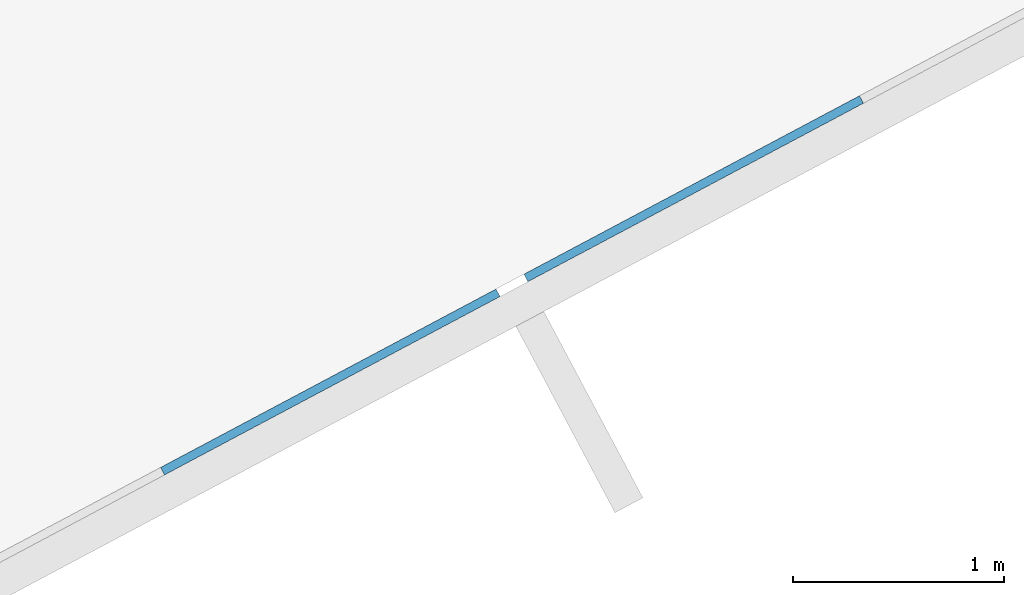
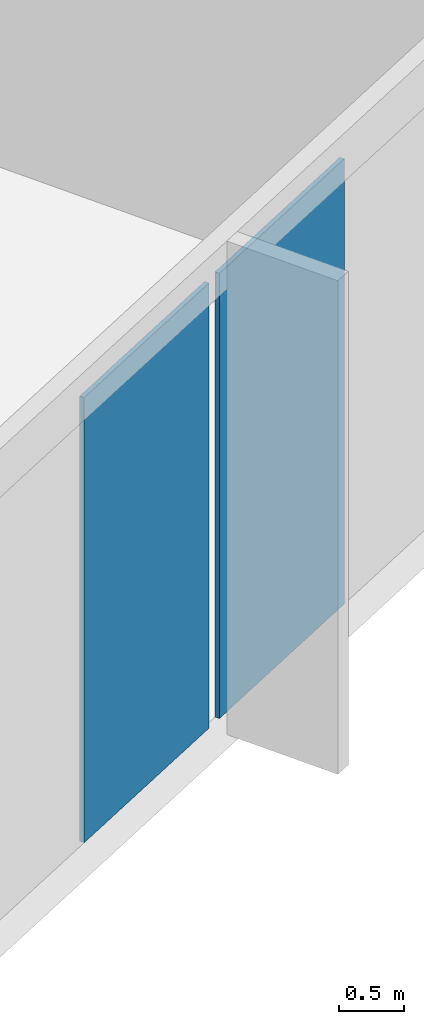
# One storey, part 11 of 32: 2 plates, 1 element without a shape of its own.
"""IFC4 building model written with IfcOpenShell, lengths in metres."""

from ifc_helpers import new_model, si_unit, direction, frame, origin, origin_2d, place, context, subcontext, project, spatial, rectangle, extrude, material, layer, layer_set, type_object, element, aggregate, save


model = new_model("IFC4")

# Units and contexts
model_context = context("Model", 3, precision=1e-05, world=origin(), true_north=direction((0.0, 1.0)))
body_context = subcontext(model_context, "Body", "Model", "MODEL_VIEW")
ifc_project = project(units=[si_unit("LENGTHUNIT", "METRE"), si_unit("AREAUNIT", "SQUARE_METRE"), si_unit("VOLUMEUNIT", "CUBIC_METRE"), si_unit("PLANEANGLEUNIT", "RADIAN"), si_unit("MASSUNIT", "GRAM", prefix="KILO")], contexts=[model_context])

# Site, building, storey
site_placement = place(None, origin())
site = spatial("IfcSite", under=ifc_project, at=site_placement, CompositionType="ELEMENT")
building_placement = place(site_placement, origin())
building = spatial("IfcBuilding", under=site, at=building_placement, Name="Cormorant Relay Tower", CompositionType="ELEMENT")
storey_placement = place(building_placement, frame((0.0, 0.0, 66.199951171875)))
storey = spatial("IfcBuildingStorey", under=building, at=storey_placement, Name="L12", CompositionType="ELEMENT", Elevation=66.199951171875)

# Curtain wall, plates
ifc_material_1 = material(Name="Aluminium 6063-T6 anodised bronze", Category="aluminium")
ifc_layer_1 = layer(ifc_material_1, 0.199951171875)
ifc_layer_set_1 = layer_set([ifc_layer_1], Name="CW1 unitised bronze curtain wall with vertical fins")
curtain_wall_type = type_object("IfcCurtainWallType", Name="CW1 unitised bronze curtain wall with vertical fins", PredefinedType="NOTDEFINED", material=ifc_layer_set_1)
curtain_wall_placement = place(storey_placement, origin())
curtain_wall = element("IfcCurtainWall", 1, at=curtain_wall_placement, inside=storey, type_object=curtain_wall_type, Name="CW1 curtain wall 2", PredefinedType="NOTDEFINED")
ifc_material_2 = material(Name="Tinted laminated glass", Category="glass")
ifc_layer_2 = layer(ifc_material_2, 0.0400390625)
ifc_layer_set_2 = layer_set([ifc_layer_2], Name="CW1 tinted vision panel 1800 module")
plate_type = type_object("IfcPlateType", Name="CW1 tinted vision panel 1800 module", PredefinedType="CURTAIN_PANEL", material=ifc_layer_set_2)
plate_1_placement = place(storey_placement, frame((45.597412109375, 0.43798828125, 0.0), z_axis=(0.0, 0.0, 1.0), x_axis=(0.882947592859, 0.469471562786, 0.0)))
plate_1 = element("IfcPlate", 2, at=plate_1_placement, type_object=plate_type, Name="CW1 panel V08", PredefinedType="CURTAIN_PANEL", context=body_context, shape_type="SweptSolid", body=[
    extrude(rectangle(XDim=1.800048828125, YDim=0.0400390625, at=origin_2d()), origin(), (0.0, 0.0, 1.0), 4.14990234375),
])
plate_2_placement = place(storey_placement, frame((47.319091796875, 1.353515625, 0.0), z_axis=(0.0, 0.0, 1.0), x_axis=(0.882947592859, 0.469471562786, 0.0)))
plate_2 = element("IfcPlate", 3, at=plate_2_placement, type_object=plate_type, Name="CW1 panel V09", PredefinedType="CURTAIN_PANEL", context=body_context, shape_type="SweptSolid", body=[
    extrude(rectangle(XDim=1.800048828125, YDim=0.0400390625, at=origin_2d()), origin(), (0.0, 0.0, 1.0), 4.14990234375),
])
aggregate(curtain_wall, [plate_1, plate_2])

save(model, "model.ifc")
